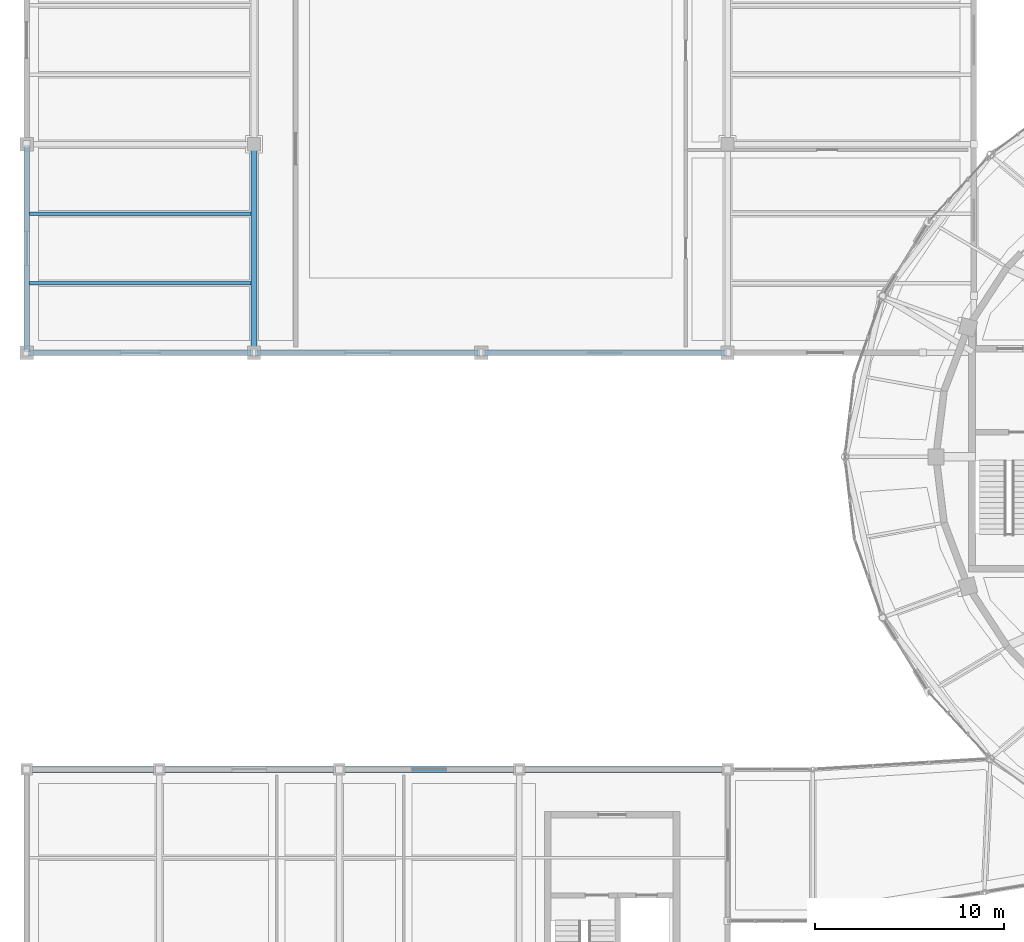
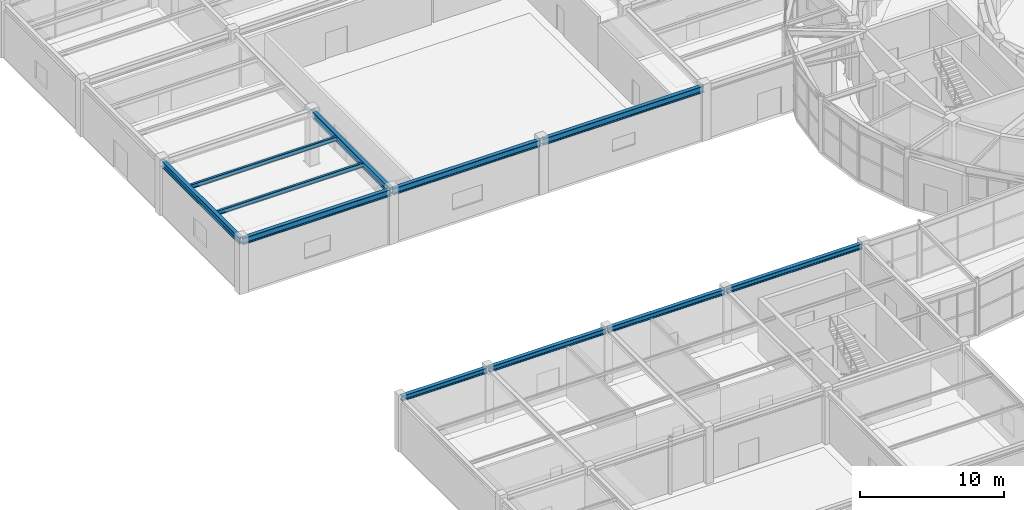
# One storey, part 27 of 108: 11 beams.
"""IFC4 building model written with IfcOpenShell, lengths in metres."""

from ifc_helpers import new_model, si_unit, direction, frame, origin, origin_2d, place, context, subcontext, project, spatial, i_section, extrude, material, material_profile, profile_set, type_object, element, save


model = new_model("IFC4")

# Units and contexts
model_context = context("Model", 3, precision=1e-05, world=origin(), true_north=direction((0.0, 1.0)))
body_context = subcontext(model_context, "Body", "Model", "MODEL_VIEW")
ifc_project = project(units=[si_unit("LENGTHUNIT", "METRE"), si_unit("AREAUNIT", "SQUARE_METRE"), si_unit("VOLUMEUNIT", "CUBIC_METRE"), si_unit("PLANEANGLEUNIT", "RADIAN"), si_unit("MASSUNIT", "GRAM", prefix="KILO")], contexts=[model_context])

# Site, building, storey
site_placement = place(None, origin())
site = spatial("IfcSite", under=ifc_project, at=site_placement, CompositionType="ELEMENT")
building_placement = place(site_placement, origin())
building = spatial("IfcBuilding", under=site, at=building_placement, Name="Tarnveldt Headland Concert Hall", CompositionType="ELEMENT")
storey_placement = place(building_placement, origin())
storey = spatial("IfcBuildingStorey", under=building, at=storey_placement, Name="L00", CompositionType="ELEMENT", Elevation=0.0)

# Beams
ifc_material = material(Name="Steel S355", Category="steel")
ifc_material_profile_1 = material_profile(ifc_material, i_section(OverallWidth=0.300048828125, OverallDepth=0.449951171875, WebThickness=0.013916015625, FlangeThickness=0.02587890625, FilletRadius=0.027099609375, at=origin_2d()), Name="HEB450", Category="steel")
ifc_profile_set_1 = profile_set([ifc_material_profile_1], Name="Steel S355")
beam_type_1 = type_object("IfcBeamType", Name="SB-HEB450", PredefinedType="BEAM", material=ifc_profile_set_1)
beam_1_placement = place(storey_placement, frame((7.550048828125, 38.0, 4.294921875), z_axis=(1.0, 0.0, 0.0), x_axis=(0.0, 1.0, 0.0)))
element("IfcBeam", 1, at=beam_1_placement, inside=storey, type_object=beam_type_1, Name="Framing beam L00-565", PredefinedType="BEAM", context=body_context, shape_type="SweptSolid", body=[
    extrude(i_section(OverallWidth=0.300048828125, OverallDepth=0.449951171875, WebThickness=0.013916015625, FlangeThickness=0.02587890625, FilletRadius=0.027099609375, at=origin_2d()), origin(), (0.0, 0.0, 1.0), 6.89990234375),
])
for number, where, z_axis, x_axis, name in (
    (2, (14.550048828125, 38.0, 4.294921875), (1.0, 0.0, 0.0), (0.0, 1.0, 0.0), "Framing beam L00-566"),
    (3, (24.050048828125, 38.0, 4.294921875), (1.0, 0.0, 0.0), (0.0, 1.0, 0.0), "Framing beam L00-567"),
):
    element("IfcBeam", number, at=place(storey_placement, frame(where, z_axis=z_axis, x_axis=x_axis)), inside=storey, type_object=beam_type_1, Name=name, PredefinedType="BEAM", context=body_context, shape_type="SweptSolid", body=[
        extrude(i_section(OverallWidth=0.300048828125, OverallDepth=0.449951171875, WebThickness=0.013916015625, FlangeThickness=0.02587890625, FilletRadius=0.027099609375, at=origin_2d()), origin(), (0.0, 0.0, 1.0), 9.39990234375),
    ])
beam_2_placement = place(storey_placement, frame((33.550048828125, 38.0, 4.294921875), z_axis=(1.0, 0.0, 0.0), x_axis=(0.0, 1.0, 0.0)))
element("IfcBeam", 4, at=beam_2_placement, inside=storey, type_object=beam_type_1, Name="Framing beam L00-568", PredefinedType="BEAM", context=body_context, shape_type="SweptSolid", body=[
    extrude(i_section(OverallWidth=0.300048828125, OverallDepth=0.449951171875, WebThickness=0.013916015625, FlangeThickness=0.02587890625, FilletRadius=0.027099609375, at=origin_2d()), origin(), (0.0, 0.0, 1.0), 10.89990234375),
])
ifc_material_profile_2 = material_profile(ifc_material, i_section(OverallWidth=0.300048828125, OverallDepth=0.550048828125, WebThickness=0.014892578125, FlangeThickness=0.029052734375, FilletRadius=0.027099609375, at=origin_2d()), Name="HEB550", Category="steel")
ifc_profile_set_2 = profile_set([ifc_material_profile_2], Name="Steel S355")
beam_type_2 = type_object("IfcBeamType", Name="SB-HEB550", PredefinedType="BEAM", material=ifc_profile_set_2)
for number, where, z_axis, x_axis, name in (
    (5, (7.56005859375, 60.0, 4.2451171875), (1.0, 0.0, 0.0), (0.0, 1.0, 0.0), "Framing beam L00-606"),
    (6, (19.56005859375, 60.0, 4.2451171875), (1.0, 0.0, 0.0), (0.0, 1.0, 0.0), "Framing beam L00-607"),
):
    element("IfcBeam", number, at=place(storey_placement, frame(where, z_axis=z_axis, x_axis=x_axis)), inside=storey, type_object=beam_type_2, Name=name, PredefinedType="BEAM", context=body_context, shape_type="SweptSolid", body=[
        extrude(i_section(OverallWidth=0.300048828125, OverallDepth=0.550048828125, WebThickness=0.014892578125, FlangeThickness=0.029052734375, FilletRadius=0.027099609375, at=origin_2d()), origin(), (0.0, 0.0, 1.0), 11.8798828125),
    ])
beam_3_placement = place(storey_placement, frame((31.56005859375, 60.0, 4.2451171875), z_axis=(1.0, 0.0, 0.0), x_axis=(0.0, 1.0, 0.0)))
element("IfcBeam", 7, at=beam_3_placement, inside=storey, type_object=beam_type_2, Name="Framing beam L00-608", PredefinedType="BEAM", context=body_context, shape_type="SweptSolid", body=[
    extrude(i_section(OverallWidth=0.300048828125, OverallDepth=0.550048828125, WebThickness=0.014892578125, FlangeThickness=0.029052734375, FilletRadius=0.027099609375, at=origin_2d()), origin(), (0.0, 0.0, 1.0), 12.8798828125),
])
for number, where, z_axis, x_axis, name in (
    (8, (7.5, 60.06005859375, 4.2451171875), (0.0, 1.0, 0.0), (-1.0, 0.0, 0.0), "Framing beam L00-627"),
    (9, (19.5, 60.06005859375, 4.2451171875), (0.0, 1.0, 0.0), (-1.0, 0.0, 0.0), "Framing beam L00-636"),
):
    element("IfcBeam", number, at=place(storey_placement, frame(where, z_axis=z_axis, x_axis=x_axis)), inside=storey, type_object=beam_type_2, Name=name, PredefinedType="BEAM", context=body_context, shape_type="SweptSolid", body=[
        extrude(i_section(OverallWidth=0.300048828125, OverallDepth=0.550048828125, WebThickness=0.014892578125, FlangeThickness=0.029052734375, FilletRadius=0.027099609375, at=origin_2d()), origin(), (0.0, 0.0, 1.0), 10.8798828125),
    ])
ifc_material_profile_3 = material_profile(ifc_material, i_section(OverallWidth=0.169921875, OverallDepth=0.360107421875, WebThickness=0.008056640625, FlangeThickness=0.0126953125, FilletRadius=0.01806640625, at=origin_2d()), Name="IPE360", Category="steel")
ifc_profile_set_3 = profile_set([ifc_material_profile_3], Name="Steel S355")
beam_type_3 = type_object("IfcBeamType", Name="SB-IPE360", PredefinedType="JOIST", material=ifc_profile_set_3)
for number, where, z_axis, x_axis, name in (
    (10, (7.64990234375, 63.6669921875, 4.340087890625), (1.0, 0.0, 0.0), (0.0, 1.0, 0.0), "Framing beam L00-628"),
    (11, (7.64990234375, 67.3330078125, 4.340087890625), (1.0, 0.0, 0.0), (0.0, 1.0, 0.0), "Framing beam L00-629"),
):
    element("IfcBeam", number, at=place(storey_placement, frame(where, z_axis=z_axis, x_axis=x_axis)), inside=storey, type_object=beam_type_3, Name=name, PredefinedType="JOIST", context=body_context, shape_type="SweptSolid", body=[
        extrude(i_section(OverallWidth=0.169921875, OverallDepth=0.360107421875, WebThickness=0.008056640625, FlangeThickness=0.0126953125, FilletRadius=0.01806640625, at=origin_2d()), origin(), (0.0, 0.0, 1.0), 11.7001953125),
    ])

save(model, "model.ifc")
